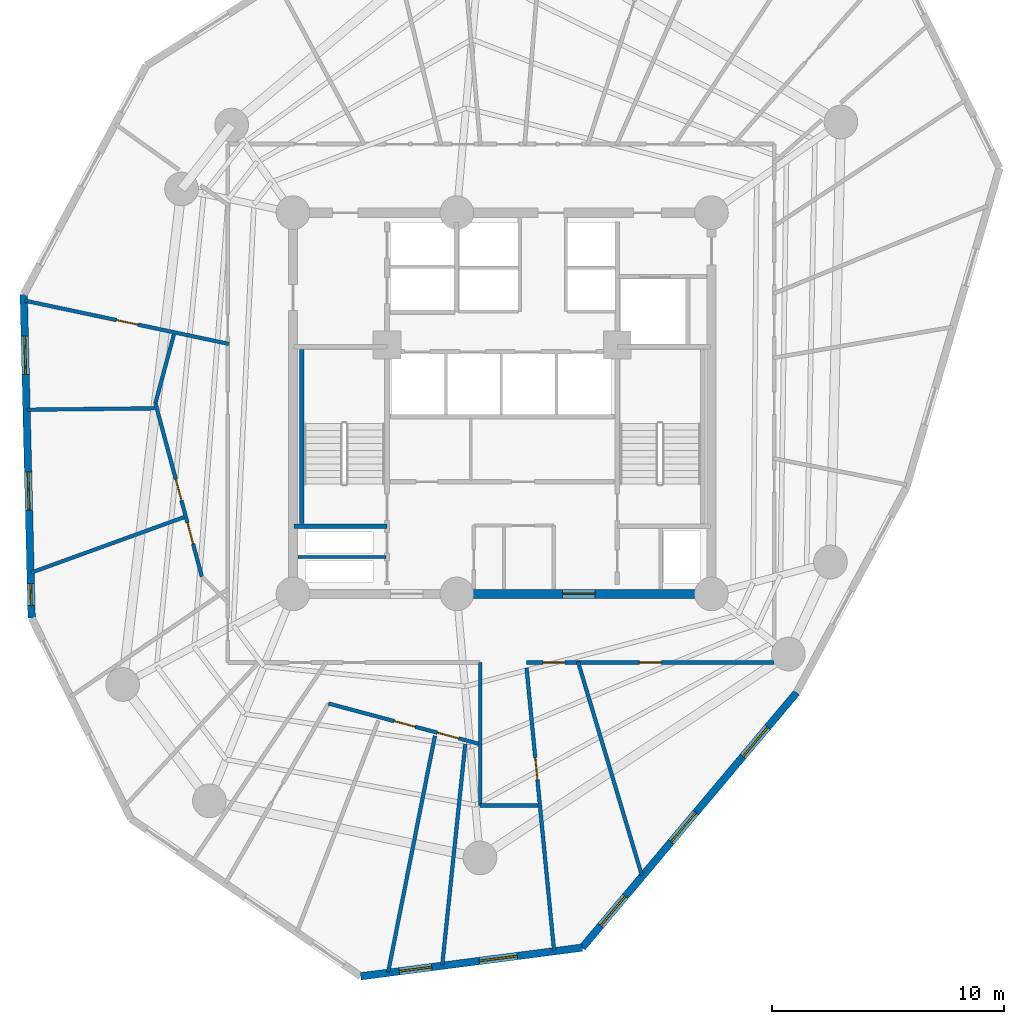
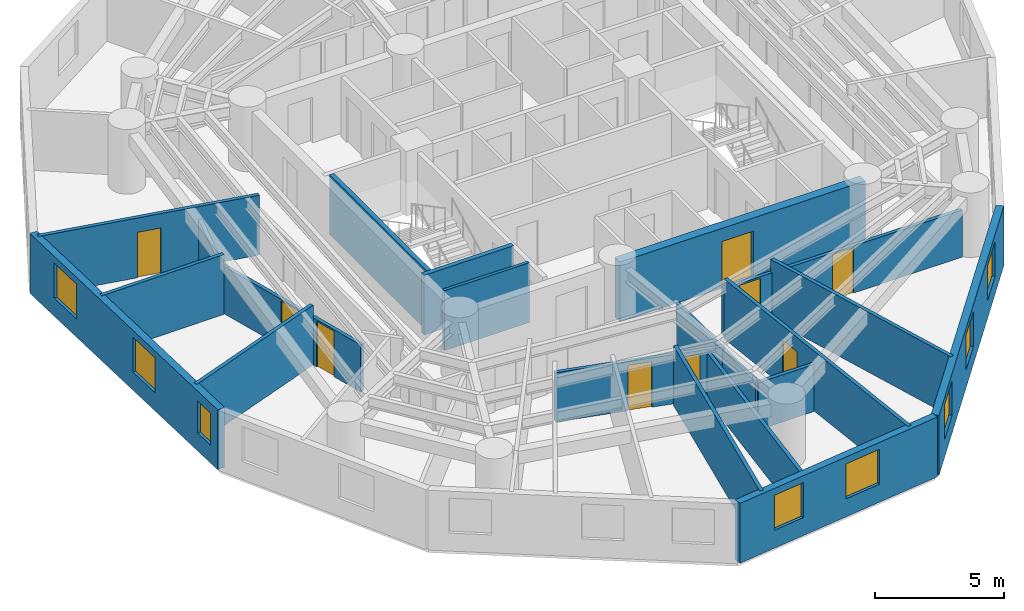
# One storey, part 3 of 8: 20 walls, 9 doors, 8 windows, 17 openings.
"""IFC4 building model written with IfcOpenShell, lengths in metres."""

import ifcopenshell
import ifcopenshell.guid

model = None  # the IFC model being written
_history = None  # IfcOwnerHistory: only IFC2X3 demands one
_inside = {}  # id of a spatial element -> (the spatial element, [elements in it])
_under = {}  # id of a project, library or spatial element -> (it, [spatial elements below it])
_declared = {}  # id of a project -> (the project, [libraries it declares])
_typed = {}  # id of a type object -> (the type object, [elements of that type])
_made_of = {}  # id of a material, layer set ... -> (it, [elements and type objects made of it])


def new_model(schema):
    """Start an empty IFC model of exactly this schema.

    Asked for "IFC4X3", IfcOpenShell would pick the latest addendum, in which some entities
    have other attributes; the version numbers below select the first issue.
    IFC2X3 requires an IfcOwnerHistory on every rooted entity: one is made here for all.
    """
    global model, _history
    if schema == "IFC4X3":
        model = ifcopenshell.file(schema_version=(4, 3, 0, 0))
    else:
        model = ifcopenshell.file(schema=schema)
    _inside.clear()
    _under.clear()
    _declared.clear()
    _typed.clear()
    _made_of.clear()
    _history = None
    if model.schema == "IFC2X3":
        org = make("IfcOrganization", Name="unknown")
        user = make(
            "IfcPersonAndOrganization",
            ThePerson=make("IfcPerson", FamilyName="unknown"),
            TheOrganization=org,
        )
        app = make(
            "IfcApplication",
            ApplicationDeveloper=org,
            Version="unknown",
            ApplicationFullName="unknown",
            ApplicationIdentifier="unknown",
        )
        _history = make(
            "IfcOwnerHistory",
            OwningUser=user,
            OwningApplication=app,
            ChangeAction="ADDED",
            CreationDate=0,
        )
    return model


def make(cls, **values):
    """One entity of the class cls with the attributes given. An attribute that is None is left unset."""
    return model.create_entity(
        cls, **{name: value for name, value in values.items() if value is not None}
    )


def rooted(cls, **values):
    """An entity with a GlobalId (a new one), such as an element, a storey or a relation."""
    return make(cls, GlobalId=ifcopenshell.guid.new(), OwnerHistory=_history, **values)


def si_unit(unit_type, name, prefix=None):
    """IfcSIUnit, for example si_unit("LENGTHUNIT", "METRE", prefix="MILLI")."""
    return make("IfcSIUnit", UnitType=unit_type, Prefix=prefix, Name=name)


def assignment(units):
    """IfcUnitAssignment: the units of a project."""
    return None if units is None else make("IfcUnitAssignment", Units=units)


def point(xyz):
    """IfcCartesianPoint."""
    return None if xyz is None else make("IfcCartesianPoint", Coordinates=xyz)


def direction(xyz):
    """IfcDirection."""
    return None if xyz is None else make("IfcDirection", DirectionRatios=xyz)


def frame(location, z_axis=None, x_axis=None):
    """IfcAxis2Placement3D, a coordinate frame: its origin and axes. An axis left out is left unset."""
    return make(
        "IfcAxis2Placement3D",
        Location=point(location),
        Axis=direction(z_axis),
        RefDirection=direction(x_axis),
    )


def frame_2d(location, x_axis=None):
    """IfcAxis2Placement2D, a coordinate frame in the plane: its origin and x axis."""
    return make(
        "IfcAxis2Placement2D", Location=point(location), RefDirection=direction(x_axis)
    )


def origin():
    """The frame at (0, 0, 0) with its axes left unset."""
    return frame((0.0, 0.0, 0.0))


def origin_with_axes():
    """The frame at (0, 0, 0) with the z axis (0, 0, 1) and the x axis (1, 0, 0) written out."""
    return frame((0.0, 0.0, 0.0), z_axis=(0.0, 0.0, 1.0), x_axis=(1.0, 0.0, 0.0))


def place(relative_to, where):
    """IfcLocalPlacement: puts the frame where relative to a parent placement (None: the world)."""
    return make(
        "IfcLocalPlacement", PlacementRelTo=relative_to, RelativePlacement=where
    )


def context(
    kind, dimensions, precision=None, world=None, true_north=None, identifier=None
):
    """IfcGeometricRepresentationContext, for example the 3D "Model" context."""
    return make(
        "IfcGeometricRepresentationContext",
        ContextIdentifier=identifier,
        ContextType=kind,
        CoordinateSpaceDimension=dimensions,
        Precision=precision,
        WorldCoordinateSystem=world,
        TrueNorth=true_north,
    )


def subcontext(parent, identifier, kind, view, scale=None):
    """IfcGeometricRepresentationSubContext, for example "Body" below "Model"."""
    return make(
        "IfcGeometricRepresentationSubContext",
        ContextIdentifier=identifier,
        ContextType=kind,
        ParentContext=parent,
        TargetScale=scale,
        TargetView=view,
    )


def project(units=None, contexts=None):
    """IfcProject with its units and contexts."""
    return rooted(
        "IfcProject",
        Name="project",
        RepresentationContexts=contexts,
        UnitsInContext=assignment(units),
    )


def spatial(cls, under=None, at=None, **own):
    """A site, building, storey or space (cls), placed at a placement, below another one or the project."""
    s = rooted(cls, ObjectPlacement=at, **own)
    if under is not None:
        _under.setdefault(under.id(), (under, []))[1].append(s)
    return s


def profile(cls, at=None, kind="AREA", **sizes):
    """A parametric profile (cls). Its sizes go by their IFC names, for example OverallWidth=200.0."""
    return make(cls, ProfileType=kind, Position=at, **sizes)


def rectangle(**sizes):
    """IfcRectangleProfileDef."""
    return profile("IfcRectangleProfileDef", **sizes)


def extrude(swept, where, along, depth):
    """IfcExtrudedAreaSolid: the profile swept, set in the frame where, extruded along a direction by depth."""
    return make(
        "IfcExtrudedAreaSolid",
        SweptArea=swept,
        Position=where,
        ExtrudedDirection=direction(along),
        Depth=depth,
    )


def shape(context_of_items, identifier, shape_type, items):
    """IfcShapeRepresentation: the items that make up one representation, for example the "Body"."""
    return make(
        "IfcShapeRepresentation",
        ContextOfItems=context_of_items,
        RepresentationIdentifier=identifier,
        RepresentationType=shape_type,
        Items=items,
    )


def source(mapping_origin, context_of_items, identifier, shape_type, items):
    """IfcRepresentationMap: a shape defined once, which mapped items show again and again."""
    return make(
        "IfcRepresentationMap",
        MappingOrigin=mapping_origin,
        MappedRepresentation=shape(context_of_items, identifier, shape_type, items),
    )


def transform(
    local_origin,
    x_axis=None,
    y_axis=None,
    z_axis=None,
    scale=None,
    scale2=None,
    scale3=None,
    uniform=True,
):
    """IfcCartesianTransformationOperator3D, or its non-uniform kind. x_axis, y_axis, z_axis: its Axis1, 2, 3."""
    if uniform:
        return make(
            "IfcCartesianTransformationOperator3D",
            Axis1=direction(x_axis),
            Axis2=direction(y_axis),
            LocalOrigin=point(local_origin),
            Scale=scale,
            Axis3=direction(z_axis),
        )
    return make(
        "IfcCartesianTransformationOperator3DnonUniform",
        Axis1=direction(x_axis),
        Axis2=direction(y_axis),
        LocalOrigin=point(local_origin),
        Scale=scale,
        Axis3=direction(z_axis),
        Scale2=scale2,
        Scale3=scale3,
    )


def mapped(mapping_source, mapping_target):
    """IfcMappedItem: shows the shape of a source again, moved by a transform."""
    return make(
        "IfcMappedItem", MappingSource=mapping_source, MappingTarget=mapping_target
    )


def material(Name=None, Category=None):
    """IfcMaterial."""
    return make("IfcMaterial", Name=Name, Category=Category)


def layer(
    of_material, thickness, ventilated=None, Name=None, Category=None, Priority=None
):
    """IfcMaterialLayer: one layer of a wall or slab, of a material (None: an air gap)."""
    return make(
        "IfcMaterialLayer",
        Material=of_material,
        LayerThickness=thickness,
        IsVentilated=ventilated,
        Name=Name,
        Category=Category,
        Priority=Priority,
    )


def layer_set(layers, Name=None):
    """IfcMaterialLayerSet."""
    return make("IfcMaterialLayerSet", MaterialLayers=layers, LayerSetName=Name)


def made_of(thing, what):
    """Note that an element or type object is made of a material, layer set ...; save() writes the relation."""
    if what is not None:
        _made_of.setdefault(what.id(), (what, []))[1].append(thing)
    return thing


def type_object(cls, material=None, **own):
    """A type object (cls), such as IfcWallType, which elements share."""
    return made_of(rooted(cls, **own), material)


def element(
    cls,
    number,
    at=None,
    inside=None,
    cuts=None,
    type_object=None,
    material=None,
    context=None,
    identifier="Body",
    shape_type=None,
    held_by="IfcProductDefinitionShape",
    body=None,
    shapes=None,
    **own,
):
    """One element of the class cls, such as IfcWall. Its Tag is "e" and its number.

    at: its placement. inside: the storey or other place that contains it. cuts: it is an
    opening in that element (IfcRelVoidsElement). A single representation is given by context,
    identifier, shape_type and body (its items); several are given by shapes. held_by: the class
    of the entity that holds the representations. save() writes the other relations.
    """
    e = rooted(cls, Tag="e%d" % number, ObjectPlacement=at, **own)
    if body is not None:
        shapes = [shape(context, identifier, shape_type, body)]
    if shapes is not None:
        e.Representation = make(held_by, Representations=shapes)
    if inside is not None:
        _inside.setdefault(inside.id(), (inside, []))[1].append(e)
    if cuts is not None:
        rooted(
            "IfcRelVoidsElement", RelatingBuildingElement=cuts, RelatedOpeningElement=e
        )
    if type_object is not None:
        _typed.setdefault(type_object.id(), (type_object, []))[1].append(e)
    return made_of(e, material)


def fill(opening, filler):
    """IfcRelFillsElement: the door or window that sits in an opening."""
    return rooted(
        "IfcRelFillsElement",
        RelatingOpeningElement=opening,
        RelatedBuildingElement=filler,
    )


def aggregate(whole, parts):
    """IfcRelAggregates: a whole, such as a stair, and the parts it consists of."""
    return rooted("IfcRelAggregates", RelatingObject=whole, RelatedObjects=parts)


def save(model, path):
    """Write the relations noted so far, then the file.

    IfcRelAggregates (storeys below a building ...), IfcRelContainedInSpatialStructure (elements
    in a storey), IfcRelDefinesByType, IfcRelAssociatesMaterial and IfcRelDeclares: one each for
    every whole, place, type object, material and project.
    """
    for whole, parts in _under.values():
        aggregate(whole, parts)
    for where, things in _inside.values():
        rooted(
            "IfcRelContainedInSpatialStructure",
            RelatedElements=things,
            RelatingStructure=where,
        )
    for kind, things in _typed.values():
        rooted("IfcRelDefinesByType", RelatedObjects=things, RelatingType=kind)
    for what, things in _made_of.values():
        rooted("IfcRelAssociatesMaterial", RelatedObjects=things, RelatingMaterial=what)
    for by, libraries in _declared.values():
        rooted("IfcRelDeclares", RelatingContext=by, RelatedDefinitions=libraries)
    model.write(path)


model = new_model("IFC4")

# Units and contexts
model_context = context("Model", 3, precision=1e-05, world=origin(), true_north=direction((0.0, 1.0)))
body_context = subcontext(model_context, "Body", "Model", "MODEL_VIEW")
ifc_project = project(units=[si_unit("LENGTHUNIT", "METRE"), si_unit("AREAUNIT", "SQUARE_METRE"), si_unit("VOLUMEUNIT", "CUBIC_METRE"), si_unit("PLANEANGLEUNIT", "RADIAN"), si_unit("MASSUNIT", "GRAM", prefix="KILO")], contexts=[model_context])

# Site, building, storey
site_placement = place(None, origin())
site = spatial("IfcSite", under=ifc_project, at=site_placement, CompositionType="ELEMENT")
building_placement = place(site_placement, origin())
building = spatial("IfcBuilding", under=site, at=building_placement, Name="Karkom Vertical University and Central Library", CompositionType="ELEMENT")
storey_placement = place(building_placement, frame((0.0, 0.0, 117.550048828125)))
storey = spatial("IfcBuildingStorey", under=building, at=storey_placement, Name="L32", CompositionType="ELEMENT", Elevation=117.550048828125)

# Wall, openings, windows
ifc_material_1 = material(Name="Brick-faced precast concrete C45/55", Category="masonry")
ifc_layer_1 = layer(ifc_material_1, 0.320068359375)
ifc_layer_set_1 = layer_set([ifc_layer_1], Name="Brick-faced precast concrete C45/55")
wall_type_1 = type_object("IfcWallType", Name="ENV-WL-BRK-320", PredefinedType="SOLIDWALL", material=ifc_layer_set_1)
wall_1_placement = place(storey_placement, frame((7.91748046875, 31.1845703125, 0.0), z_axis=(0.0, 0.0, 1.0), x_axis=(0.024498324563, -0.999699871008, 0.0)))
wall_1 = element("IfcWall", 1, at=wall_1_placement, inside=storey, type_object=wall_type_1, Name="Level 32 Brick-Faced Precast Facade Wall 02", PredefinedType="SOLIDWALL", context=body_context, shape_type="SweptSolid", body=[
    extrude(rectangle(XDim=13.931884765625, YDim=0.320068359375, at=frame_2d((6.9658203125, 0.0))), origin(), (0.0, 0.0, 1.0), 2.824951171875),
])
opening_1_placement = place(wall_1_placement, frame((1.794677734375, 0.0, 0.85009765625)))
opening_1 = element("IfcOpeningElement", 2, at=opening_1_placement, cuts=wall_1, Name="Opening WN-06", PredefinedType="OPENING", context=body_context, shape_type="SweptSolid", body=[
    extrude(rectangle(XDim=1.64990234375, YDim=1.64990234375, at=frame_2d((0.824951171875, 0.824951171875))), frame((0.0, 0.169921875, 0.0), z_axis=(0.0, -1.0, 0.0), x_axis=(1.0, 0.0, 0.0)), (0.0, 0.0, 1.0), 0.340087890625),
])
opening_2_placement = place(wall_1_placement, frame((7.637451171875, 0.0, 0.85009765625)))
opening_2 = element("IfcOpeningElement", 3, at=opening_2_placement, cuts=wall_1, Name="Opening WN-06", PredefinedType="OPENING", context=body_context, shape_type="SweptSolid", body=[
    extrude(rectangle(XDim=1.64990234375, YDim=1.64990234375, at=frame_2d((0.824951171875, 0.824951171875))), frame((0.0, 0.169921875, 0.0), z_axis=(0.0, -1.0, 0.0), x_axis=(1.0, 0.0, 0.0)), (0.0, 0.0, 1.0), 0.340087890625),
])
opening_3_placement = place(wall_1_placement, frame((12.441650390625, 0.0, 0.85009765625)))
opening_3 = element("IfcOpeningElement", 4, at=opening_3_placement, cuts=wall_1, Name="Opening WN-12", PredefinedType="OPENING", context=body_context, shape_type="SweptSolid", body=[
    extrude(rectangle(XDim=0.949951171875, YDim=1.5, at=frame_2d((0.47509765625, 0.75))), frame((0.0, 0.169921875, 0.0), z_axis=(0.0, -1.0, 0.0), x_axis=(1.0, 0.0, 0.0)), (0.0, 0.0, 1.0), 0.340087890625),
])
ifc_material_2 = material(Name="Aluminium thermal-break frame with solar-control IGU", Category="aluminium")
window_type_1 = type_object("IfcWindowType", Name="ENV-WIN-WN-06", PartitioningType="SINGLE_PANEL", PredefinedType="WINDOW", material=ifc_material_2)
shared_shape_1 = source(origin_with_axes(), body_context, "Body", "SweptSolid", [
    extrude(rectangle(XDim=1.64990234375, YDim=1.64990234375, at=frame_2d((0.824951171875, 0.824951171875))), frame((0.0, 0.030029296875, 0.0), z_axis=(0.0, -1.0, 0.0), x_axis=(1.0, 0.0, 0.0)), (0.0, 0.0, 1.0), 0.06005859375),
])
window_1_placement = place(opening_1_placement, origin())
window_1 = element("IfcWindow", 5, at=window_1_placement, inside=storey, type_object=window_type_1, Name="Level 32 Punched Window 2.1", OverallHeight=1.64990234375, OverallWidth=1.64990234375, PartitioningType="SINGLE_PANEL", PredefinedType="WINDOW", context=body_context, shape_type="MappedRepresentation", body=[
    mapped(shared_shape_1, transform((0.0, 0.0, 0.0), scale=1.0)),
])
fill(opening_1, window_1)
window_2_placement = place(opening_2_placement, origin())
window_2 = element("IfcWindow", 6, at=window_2_placement, inside=storey, type_object=window_type_1, Name="Level 32 Punched Window 2.2", OverallHeight=1.64990234375, OverallWidth=1.64990234375, PartitioningType="SINGLE_PANEL", PredefinedType="WINDOW", context=body_context, shape_type="MappedRepresentation", body=[
    mapped(shared_shape_1, transform((0.0, 0.0, 0.0), scale=1.0)),
])
fill(opening_2, window_2)
window_type_2 = type_object("IfcWindowType", Name="ENV-WIN-WN-12", PartitioningType="SINGLE_PANEL", PredefinedType="WINDOW", material=ifc_material_2)
shared_shape_2 = source(origin_with_axes(), body_context, "Body", "SweptSolid", [
    extrude(rectangle(XDim=0.949951171875, YDim=1.5, at=frame_2d((0.47509765625, 0.75))), frame((0.0, 0.030029296875, 0.0), z_axis=(0.0, -1.0, 0.0), x_axis=(1.0, 0.0, 0.0)), (0.0, 0.0, 1.0), 0.06005859375),
])
window_3_placement = place(opening_3_placement, origin())
window_3 = element("IfcWindow", 7, at=window_3_placement, inside=storey, type_object=window_type_2, Name="Level 32 Punched Window 2.3", OverallHeight=1.5, OverallWidth=0.949951171875, PartitioningType="SINGLE_PANEL", PredefinedType="WINDOW", context=body_context, shape_type="MappedRepresentation", body=[
    mapped(shared_shape_2, transform((0.0, 0.0, 0.0), scale=1.0)),
])
fill(opening_3, window_3)

wall_2_placement = place(storey_placement, frame((22.416748046875, 1.85009765625, 0.0), z_axis=(0.0, 0.0, 1.0), x_axis=(0.991723253877, 0.128393877264, 0.0)))
wall_2 = element("IfcWall", 8, at=wall_2_placement, inside=storey, type_object=wall_type_1, Name="Level 32 Brick-Faced Precast Facade Wall 05", PredefinedType="SOLIDWALL", context=body_context, shape_type="SweptSolid", body=[
    extrude(rectangle(XDim=9.6064453125, YDim=0.320068359375, at=frame_2d((4.80322265625, 0.0))), origin(), (0.0, 0.0, 1.0), 2.824951171875),
])
opening_4_placement = place(wall_2_placement, frame((1.673583984375, 0.0, 0.85009765625)))
opening_4 = element("IfcOpeningElement", 9, at=opening_4_placement, cuts=wall_2, Name="Opening WN-07", PredefinedType="OPENING", context=body_context, shape_type="SweptSolid", body=[
    extrude(rectangle(XDim=1.39990234375, YDim=1.64990234375, at=frame_2d((0.699951171875, 0.824951171875))), frame((0.0, 0.169921875, 0.0), z_axis=(0.0, -1.0, 0.0), x_axis=(1.0, 0.0, 0.0)), (0.0, 0.0, 1.0), 0.340087890625),
])
opening_5_placement = place(wall_2_placement, frame((5.141357421875, 0.0, 0.85009765625)))
opening_5 = element("IfcOpeningElement", 10, at=opening_5_placement, cuts=wall_2, Name="Opening WN-06", PredefinedType="OPENING", context=body_context, shape_type="SweptSolid", body=[
    extrude(rectangle(XDim=1.64990234375, YDim=1.64990234375, at=frame_2d((0.824951171875, 0.824951171875))), frame((0.0, 0.169921875, 0.0), z_axis=(0.0, -1.0, 0.0), x_axis=(1.0, 0.0, 0.0)), (0.0, 0.0, 1.0), 0.340087890625),
])
window_4_placement = place(opening_5_placement, origin())
window_4 = element("IfcWindow", 11, at=window_4_placement, inside=storey, type_object=window_type_1, Name="Level 32 Punched Window 5.2", OverallHeight=1.64990234375, OverallWidth=1.64990234375, PartitioningType="SINGLE_PANEL", PredefinedType="WINDOW", context=body_context, shape_type="MappedRepresentation", body=[
    mapped(shared_shape_1, transform((0.0, 0.0, 0.0), scale=1.0)),
])
fill(opening_5, window_4)
window_type_3 = type_object("IfcWindowType", Name="ENV-WIN-WN-07", PartitioningType="SINGLE_PANEL", PredefinedType="WINDOW", material=ifc_material_2)
shared_shape_3 = source(origin_with_axes(), body_context, "Body", "SweptSolid", [
    extrude(rectangle(XDim=1.39990234375, YDim=1.64990234375, at=frame_2d((0.699951171875, 0.824951171875))), frame((0.0, 0.030029296875, 0.0), z_axis=(0.0, -1.0, 0.0), x_axis=(1.0, 0.0, 0.0)), (0.0, 0.0, 1.0), 0.06005859375),
])
window_5_placement = place(opening_4_placement, origin())
window_5 = element("IfcWindow", 12, at=window_5_placement, inside=storey, type_object=window_type_3, Name="Level 32 Punched Window 5.1", OverallHeight=1.64990234375, OverallWidth=1.39990234375, PartitioningType="SINGLE_PANEL", PredefinedType="WINDOW", context=body_context, shape_type="MappedRepresentation", body=[
    mapped(shared_shape_3, transform((0.0, 0.0, 0.0), scale=1.0)),
])
fill(opening_4, window_5)

wall_3_placement = place(storey_placement, frame((31.943603515625, 3.08349609375, 0.0), z_axis=(0.0, 0.0, 1.0), x_axis=(0.643621916948, 0.765343601283, 0.0)))
wall_3 = element("IfcWall", 13, at=wall_3_placement, inside=storey, type_object=wall_type_1, Name="Level 32 Brick-Faced Precast Facade Wall 06", PredefinedType="SOLIDWALL", context=body_context, shape_type="SweptSolid", body=[
    extrude(rectangle(XDim=14.343017578125, YDim=0.320068359375, at=frame_2d((7.17138671875, 0.0))), origin(), (0.0, 0.0, 1.0), 2.824951171875),
])
opening_6_placement = place(wall_3_placement, frame((1.22900390625, 0.0, 0.85009765625)))
opening_6 = element("IfcOpeningElement", 14, at=opening_6_placement, cuts=wall_3, Name="Opening WN-06", PredefinedType="OPENING", context=body_context, shape_type="SweptSolid", body=[
    extrude(rectangle(XDim=1.64990234375, YDim=1.64990234375, at=frame_2d((0.824951171875, 0.824951171875))), frame((0.0, 0.169921875, 0.0), z_axis=(0.0, -1.0, 0.0), x_axis=(1.0, 0.0, 0.0)), (0.0, 0.0, 1.0), 0.340087890625),
])
opening_7_placement = place(wall_3_placement, frame((5.94189453125, 0.0, 0.85009765625)))
opening_7 = element("IfcOpeningElement", 15, at=opening_7_placement, cuts=wall_3, Name="Opening WN-06", PredefinedType="OPENING", context=body_context, shape_type="SweptSolid", body=[
    extrude(rectangle(XDim=1.64990234375, YDim=1.64990234375, at=frame_2d((0.824951171875, 0.824951171875))), frame((0.0, 0.169921875, 0.0), z_axis=(0.0, -1.0, 0.0), x_axis=(1.0, 0.0, 0.0)), (0.0, 0.0, 1.0), 0.340087890625),
])
opening_8_placement = place(wall_3_placement, frame((10.7392578125, 0.0, 0.85009765625)))
opening_8 = element("IfcOpeningElement", 16, at=opening_8_placement, cuts=wall_3, Name="Opening WN-06", PredefinedType="OPENING", context=body_context, shape_type="SweptSolid", body=[
    extrude(rectangle(XDim=1.64990234375, YDim=1.64990234375, at=frame_2d((0.824951171875, 0.824951171875))), frame((0.0, 0.169921875, 0.0), z_axis=(0.0, -1.0, 0.0), x_axis=(1.0, 0.0, 0.0)), (0.0, 0.0, 1.0), 0.340087890625),
])
window_6_placement = place(opening_6_placement, origin())
window_6 = element("IfcWindow", 17, at=window_6_placement, inside=storey, type_object=window_type_1, Name="Level 32 Punched Window 6.1", OverallHeight=1.64990234375, OverallWidth=1.64990234375, PartitioningType="SINGLE_PANEL", PredefinedType="WINDOW", context=body_context, shape_type="MappedRepresentation", body=[
    mapped(shared_shape_1, transform((0.0, 0.0, 0.0), scale=1.0)),
])
fill(opening_6, window_6)
window_7_placement = place(opening_7_placement, origin())
window_7 = element("IfcWindow", 18, at=window_7_placement, inside=storey, type_object=window_type_1, Name="Level 32 Punched Window 6.2", OverallHeight=1.64990234375, OverallWidth=1.64990234375, PartitioningType="SINGLE_PANEL", PredefinedType="WINDOW", context=body_context, shape_type="MappedRepresentation", body=[
    mapped(shared_shape_1, transform((0.0, 0.0, 0.0), scale=1.0)),
])
fill(opening_7, window_7)
window_8_placement = place(opening_8_placement, origin())
window_8 = element("IfcWindow", 19, at=window_8_placement, inside=storey, type_object=window_type_1, Name="Level 32 Punched Window 6.3", OverallHeight=1.64990234375, OverallWidth=1.64990234375, PartitioningType="SINGLE_PANEL", PredefinedType="WINDOW", context=body_context, shape_type="MappedRepresentation", body=[
    mapped(shared_shape_1, transform((0.0, 0.0, 0.0), scale=1.0)),
])
fill(opening_8, window_8)

# Wall, opening, door
ifc_material_3 = material(Name="Insulated metal-stud drywall 160mm", Category="gypsum")
ifc_layer_2 = layer(ifc_material_3, 0.159912109375)
ifc_layer_set_2 = layer_set([ifc_layer_2], Name="Insulated metal-stud drywall 160mm")
wall_type_2 = type_object("IfcWallType", Name="INT-WL-COR-160", PredefinedType="PARTITIONING", material=ifc_layer_set_2)
wall_4_placement = place(storey_placement, frame((29.547119140625, 15.11962890625, 0.0), z_axis=(0.0, 0.0, 1.0), x_axis=(0.096855822721, -0.995298422387, 0.0)))
wall_4 = element("IfcWall", 20, at=wall_4_placement, inside=storey, type_object=wall_type_2, Name="Level 32 Interior Partition Wall L32-PW-019", PredefinedType="PARTITIONING", context=body_context, shape_type="SweptSolid", body=[
    extrude(rectangle(XDim=12.22509765625, YDim=0.159912109375, at=frame_2d((6.112548828125, 0.0))), origin(), (0.0, 0.0, 1.0), 2.824951171875),
])
opening_9_placement = place(wall_4_placement, frame((3.88671875, 0.0, 0.0)))
opening_9 = element("IfcOpeningElement", 21, at=opening_9_placement, cuts=wall_4, Name="Opening D-RM1", PredefinedType="OPENING", context=body_context, shape_type="SweptSolid", body=[
    extrude(rectangle(XDim=0.949951171875, YDim=2.14990234375, at=frame_2d((0.47509765625, 1.074951171875))), frame((0.0, 0.08984375, 0.0), z_axis=(0.0, -1.0, 0.0), x_axis=(1.0, 0.0, 0.0)), (0.0, 0.0, 1.0), 0.179931640625),
])
ifc_material_4 = material(Name="Solid-core oak veneer door", Category="wood")
door_type_1 = type_object("IfcDoorType", Name="INT-DR-RM1", OperationType="NOTDEFINED", PredefinedType="DOOR", material=ifc_material_4)
shared_shape_4 = source(origin_with_axes(), body_context, "Body", "SweptSolid", [
    extrude(rectangle(XDim=0.949951171875, YDim=2.14990234375, at=frame_2d((0.47509765625, 1.074951171875))), frame((0.0, 0.02490234375, 0.0), z_axis=(0.0, -1.0, 0.0), x_axis=(1.0, 0.0, 0.0)), (0.0, 0.0, 1.0), 0.050048828125),
])
door_1_placement = place(opening_9_placement, origin())
door_1 = element("IfcDoor", 22, at=door_1_placement, inside=storey, type_object=door_type_1, Name="Level 32 Room Entry Door 090", OperationType="SINGLE_SWING_LEFT", OverallHeight=2.14990234375, OverallWidth=0.949951171875, PredefinedType="DOOR", context=body_context, shape_type="MappedRepresentation", body=[
    mapped(shared_shape_4, transform((0.0, 0.0, 0.0), scale=1.0)),
])
fill(opening_9, door_1)

# Wall, openings, doors
wall_5_placement = place(storey_placement, frame((40.199951171875, 15.35009765625, 0.0), z_axis=(0.0, 0.0, 1.0), x_axis=(-1.0, 0.0, 0.0)))
wall_5 = element("IfcWall", 23, at=wall_5_placement, inside=storey, type_object=wall_type_2, Name="Level 32 Interior Partition Wall L32-CORW-CW-005", PredefinedType="PARTITIONING", context=body_context, shape_type="SweptSolid", body=[
    extrude(rectangle(XDim=10.64990234375, YDim=0.159912109375, at=frame_2d((5.324951171875, 0.0))), origin(), (0.0, 0.0, 1.0), 2.224853515625),
])
opening_10_placement = place(wall_5_placement, frame((9.001220703125, 0.0, 0.0)))
opening_10 = element("IfcOpeningElement", 24, at=opening_10_placement, cuts=wall_5, Name="Opening D-RM1", PredefinedType="OPENING", context=body_context, shape_type="SweptSolid", body=[
    extrude(rectangle(XDim=0.949951171875, YDim=2.14990234375, at=frame_2d((0.47509765625, 1.074951171875))), frame((0.0, 0.08984375, 0.0), z_axis=(0.0, -1.0, 0.0), x_axis=(1.0, 0.0, 0.0)), (0.0, 0.0, 1.0), 0.179931640625),
])
opening_11_placement = place(wall_5_placement, frame((4.85009765625, 0.0, 0.0)))
opening_11 = element("IfcOpeningElement", 25, at=opening_11_placement, cuts=wall_5, Name="Opening D-RM1", PredefinedType="OPENING", context=body_context, shape_type="SweptSolid", body=[
    extrude(rectangle(XDim=0.949951171875, YDim=2.14990234375, at=frame_2d((0.47509765625, 1.074951171875))), frame((0.0, 0.08984375, 0.0), z_axis=(0.0, -1.0, 0.0), x_axis=(1.0, 0.0, 0.0)), (0.0, 0.0, 1.0), 0.179931640625),
])
door_2_placement = place(opening_10_placement, origin())
door_2 = element("IfcDoor", 26, at=door_2_placement, inside=storey, type_object=door_type_1, Name="Level 32 Room Entry Door 100", OperationType="SINGLE_SWING_RIGHT", OverallHeight=2.14990234375, OverallWidth=0.949951171875, PredefinedType="DOOR", context=body_context, shape_type="MappedRepresentation", body=[
    mapped(shared_shape_4, transform((0.0, 0.0, 0.0), scale=1.0)),
])
fill(opening_10, door_2)
door_3_placement = place(opening_11_placement, origin())
door_3 = element("IfcDoor", 27, at=door_3_placement, inside=storey, type_object=door_type_1, Name="Level 32 Room Entry Door 110", OperationType="SINGLE_SWING_LEFT", OverallHeight=2.14990234375, OverallWidth=0.949951171875, PredefinedType="DOOR", context=body_context, shape_type="MappedRepresentation", body=[
    mapped(shared_shape_4, transform((0.0, 0.0, 0.0), scale=1.0)),
])
fill(opening_11, door_3)

# Walls
wall_6_placement = place(storey_placement, frame((25.6064453125, 12.192626953125, 0.0), z_axis=(0.0, 0.0, 1.0), x_axis=(-0.194207590837, -0.980960453668, 0.0)))
element("IfcWall", 28, at=wall_6_placement, inside=storey, type_object=wall_type_2, Name="Level 32 Interior Partition Wall L32-PW-016", PredefinedType="PARTITIONING", context=body_context, shape_type="SweptSolid", body=[
    extrude(rectangle(XDim=10.358642578125, YDim=0.159912109375, at=frame_2d((5.17919921875, 0.0))), origin(), (0.0, 0.0, 1.0), 2.824951171875),
])
wall_7_placement = place(storey_placement, frame((31.76220703125, 15.378662109375, 0.0), z_axis=(0.0, 0.0, 1.0), x_axis=(0.286457964324, -0.958092811097, 0.0)))
element("IfcWall", 29, at=wall_7_placement, inside=storey, type_object=wall_type_2, Name="Level 32 Interior Partition Wall L32-PW-020", PredefinedType="PARTITIONING", context=body_context, shape_type="SweptSolid", body=[
    extrude(rectangle(XDim=9.590576171875, YDim=0.159912109375, at=frame_2d((4.79541015625, 0.0))), origin(), (0.0, 0.0, 1.0), 2.824951171875),
])
wall_8_placement = place(storey_placement, frame((26.911865234375, 11.8427734375, 0.0), z_axis=(0.0, 0.0, 1.0), x_axis=(-0.103642912632, -0.994614571913, 0.0)))
element("IfcWall", 30, at=wall_8_placement, inside=storey, type_object=wall_type_2, Name="Level 32 Interior Partition Wall L32-PW-017", PredefinedType="PARTITIONING", context=body_context, shape_type="SweptSolid", body=[
    extrude(rectangle(XDim=9.563720703125, YDim=0.159912109375, at=frame_2d((4.78173828125, 0.0))), origin(), (0.0, 0.0, 1.0), 2.224853515625),
])

# Wall, opening, door
wall_9_placement = place(storey_placement, frame((16.743896484375, 29.053466796875, 0.0), z_axis=(0.0, 0.0, 1.0), x_axis=(-0.978261516353, 0.20737503616, 0.0)))
wall_9 = element("IfcWall", 31, at=wall_9_placement, inside=storey, type_object=wall_type_2, Name="Level 32 Interior Partition Wall L32-PW-037", PredefinedType="PARTITIONING", context=body_context, shape_type="SweptSolid", body=[
    extrude(rectangle(XDim=8.988525390625, YDim=0.159912109375, at=frame_2d((4.494140625, 0.0))), origin(), (0.0, 0.0, 1.0), 2.824951171875),
])
opening_12_placement = place(wall_9_placement, frame((3.994384765625, 0.0, 0.0)))
opening_12 = element("IfcOpeningElement", 32, at=opening_12_placement, cuts=wall_9, Name="Opening D-RM1", PredefinedType="OPENING", context=body_context, shape_type="SweptSolid", body=[
    extrude(rectangle(XDim=0.949951171875, YDim=2.14990234375, at=frame_2d((0.47509765625, 1.074951171875))), frame((0.0, 0.08984375, 0.0), z_axis=(0.0, -1.0, 0.0), x_axis=(1.0, 0.0, 0.0)), (0.0, 0.0, 1.0), 0.179931640625),
])
door_4_placement = place(opening_12_placement, origin())
door_4 = element("IfcDoor", 33, at=door_4_placement, inside=storey, type_object=door_type_1, Name="Level 32 Room Entry Door 270", OperationType="SINGLE_SWING_RIGHT", OverallHeight=2.14990234375, OverallWidth=0.949951171875, PredefinedType="DOOR", context=body_context, shape_type="MappedRepresentation", body=[
    mapped(shared_shape_4, transform((0.0, 0.0, 0.0), scale=1.0)),
])
fill(opening_12, door_4)

# Wall, openings, doors
wall_10_placement = place(storey_placement, frame((15.581298828125, 19.04150390625, 0.0), z_axis=(0.0, 0.0, 1.0), x_axis=(-0.258823534126, 0.965924623448, 0.0)))
wall_10 = element("IfcWall", 34, at=wall_10_placement, inside=storey, type_object=wall_type_2, Name="Level 32 Interior Partition Wall L32-PW-001", PredefinedType="PARTITIONING", context=body_context, shape_type="SweptSolid", body=[
    extrude(rectangle(XDim=7.7216796875, YDim=0.159912109375, at=frame_2d((3.86083984375, 0.0))), origin(), (0.0, 0.0, 1.0), 2.224853515625),
])
opening_13_placement = place(wall_10_placement, frame((3.3857421875, 0.0, 0.0)))
opening_13 = element("IfcOpeningElement", 35, at=opening_13_placement, cuts=wall_10, Name="Opening FD-RM2", PredefinedType="OPENING", context=body_context, shape_type="SweptSolid", body=[
    extrude(rectangle(XDim=0.9599609375, YDim=2.14990234375, at=frame_2d((0.47998046875, 1.074951171875))), frame((0.0, 0.08984375, 0.0), z_axis=(0.0, -1.0, 0.0), x_axis=(1.0, 0.0, 0.0)), (0.0, 0.0, 1.0), 0.179931640625),
])
opening_14_placement = place(wall_10_placement, frame((1.455322265625, 0.0, 0.0)))
opening_14 = element("IfcOpeningElement", 36, at=opening_14_placement, cuts=wall_10, Name="Opening D-RM1", PredefinedType="OPENING", context=body_context, shape_type="SweptSolid", body=[
    extrude(rectangle(XDim=0.949951171875, YDim=2.14990234375, at=frame_2d((0.47509765625, 1.074951171875))), frame((0.0, 0.08984375, 0.0), z_axis=(0.0, -1.0, 0.0), x_axis=(1.0, 0.0, 0.0)), (0.0, 0.0, 1.0), 0.179931640625),
])
ifc_material_5 = material(Name="Fire-rated oak veneer door", Category="wood")
door_type_2 = type_object("IfcDoorType", Name="INT-DR-FRM2", OperationType="NOTDEFINED", PredefinedType="DOOR", material=ifc_material_5)
shared_shape_5 = source(origin_with_axes(), body_context, "Body", "SweptSolid", [
    extrude(rectangle(XDim=0.9599609375, YDim=2.14990234375, at=frame_2d((0.47998046875, 1.074951171875))), frame((0.0, 0.02490234375, 0.0), z_axis=(0.0, -1.0, 0.0), x_axis=(1.0, 0.0, 0.0)), (0.0, 0.0, 1.0), 0.050048828125),
])
door_5_placement = place(opening_13_placement, origin())
door_5 = element("IfcDoor", 37, at=door_5_placement, inside=storey, type_object=door_type_2, Name="Level 32 Room Entry Door 010", OperationType="SINGLE_SWING_LEFT", OverallHeight=2.14990234375, OverallWidth=0.9599609375, PredefinedType="DOOR", context=body_context, shape_type="MappedRepresentation", body=[
    mapped(shared_shape_5, transform((0.0, 0.0, 0.0), scale=1.0)),
])
fill(opening_13, door_5)
door_6_placement = place(opening_14_placement, origin())
door_6 = element("IfcDoor", 38, at=door_6_placement, inside=storey, type_object=door_type_1, Name="Level 32 Room Entry Door 020", OperationType="SINGLE_SWING_RIGHT", OverallHeight=2.14990234375, OverallWidth=0.949951171875, PredefinedType="DOOR", context=body_context, shape_type="MappedRepresentation", body=[
    mapped(shared_shape_4, transform((0.0, 0.0, 0.0), scale=1.0)),
])
fill(opening_14, door_6)

# Wall
wall_11_placement = place(storey_placement, frame((14.806396484375, 21.597900390625, 0.0), z_axis=(0.0, 0.0, 1.0), x_axis=(-0.940102191291, -0.340892754295, 0.0)))
element("IfcWall", 39, at=wall_11_placement, inside=storey, type_object=wall_type_2, Name="Level 32 Interior Partition Wall L32-PW-005", PredefinedType="PARTITIONING", context=body_context, shape_type="SweptSolid", body=[
    extrude(rectangle(XDim=6.986328125, YDim=0.159912109375, at=frame_2d((3.4931640625, 0.0))), origin(), (0.0, 0.0, 1.0), 2.824951171875),
])

# Wall, openings, doors
wall_12_placement = place(storey_placement, frame((27.5791015625, 11.82958984375, 0.0), z_axis=(0.0, 0.0, 1.0), x_axis=(-0.96592234089, 0.258832052437, 0.0)))
wall_12 = element("IfcWall", 40, at=wall_12_placement, inside=storey, type_object=wall_type_2, Name="Level 32 Interior Partition Wall L32-PW-013", PredefinedType="PARTITIONING", context=body_context, shape_type="SweptSolid", body=[
    extrude(rectangle(XDim=6.781982421875, YDim=0.159912109375, at=frame_2d((3.39111328125, 0.0))), origin(), (0.0, 0.0, 1.0), 2.324951171875),
])
opening_15_placement = place(wall_12_placement, frame((2.916015625, 0.0, 0.0)))
opening_15 = element("IfcOpeningElement", 41, at=opening_15_placement, cuts=wall_12, Name="Opening D-RM1", PredefinedType="OPENING", context=body_context, shape_type="SweptSolid", body=[
    extrude(rectangle(XDim=0.949951171875, YDim=2.14990234375, at=frame_2d((0.47509765625, 1.074951171875))), frame((0.0, 0.08984375, 0.0), z_axis=(0.0, -1.0, 0.0), x_axis=(1.0, 0.0, 0.0)), (0.0, 0.0, 1.0), 0.179931640625),
])
opening_16_placement = place(wall_12_placement, frame((0.98046875, 0.0, 0.0)))
opening_16 = element("IfcOpeningElement", 42, at=opening_16_placement, cuts=wall_12, Name="Opening D-RM1", PredefinedType="OPENING", context=body_context, shape_type="SweptSolid", body=[
    extrude(rectangle(XDim=0.949951171875, YDim=2.14990234375, at=frame_2d((0.47509765625, 1.074951171875))), frame((0.0, 0.08984375, 0.0), z_axis=(0.0, -1.0, 0.0), x_axis=(1.0, 0.0, 0.0)), (0.0, 0.0, 1.0), 0.179931640625),
])
door_7_placement = place(opening_15_placement, origin())
door_7 = element("IfcDoor", 43, at=door_7_placement, inside=storey, type_object=door_type_1, Name="Level 32 Room Entry Door 070", OperationType="SINGLE_SWING_RIGHT", OverallHeight=2.14990234375, OverallWidth=0.949951171875, PredefinedType="DOOR", context=body_context, shape_type="MappedRepresentation", body=[
    mapped(shared_shape_4, transform((0.0, 0.0, 0.0), scale=1.0)),
])
fill(opening_15, door_7)
door_8_placement = place(opening_16_placement, origin())
door_8 = element("IfcDoor", 44, at=door_8_placement, inside=storey, type_object=door_type_1, Name="Level 32 Room Entry Door 080", OperationType="SINGLE_SWING_LEFT", OverallHeight=2.14990234375, OverallWidth=0.949951171875, PredefinedType="DOOR", context=body_context, shape_type="MappedRepresentation", body=[
    mapped(shared_shape_4, transform((0.0, 0.0, 0.0), scale=1.0)),
])
fill(opening_16, door_8)

# Walls
wall_13_placement = place(storey_placement, frame((27.550048828125, 9.199951171875, 0.0), z_axis=(0.0, 0.0, 1.0), x_axis=(0.0, 1.0, 0.0)))
element("IfcWall", 45, at=wall_13_placement, inside=storey, type_object=wall_type_2, Name="Level 32 Interior Partition Wall L32-CORW-CW-008", PredefinedType="PARTITIONING", context=body_context, shape_type="SweptSolid", body=[
    extrude(rectangle(XDim=6.150146484375, YDim=0.159912109375, at=frame_2d((3.0751953125, 0.0))), origin(), (0.0, 0.0, 1.0), 2.224853515625),
])
wall_14_placement = place(storey_placement, frame((8.064208984375, 26.2236328125, 0.0), z_axis=(0.0, 0.0, 1.0), x_axis=(0.999943950458, 0.010587537157, 0.0)))
element("IfcWall", 46, at=wall_14_placement, inside=storey, type_object=wall_type_2, Name="Level 32 Interior Partition Wall L32-PW-006", PredefinedType="PARTITIONING", context=body_context, shape_type="SweptSolid", body=[
    extrude(rectangle(XDim=5.488037109375, YDim=0.159912109375, at=frame_2d((2.744140625, 0.0))), origin(), (0.0, 0.0, 1.0), 2.824951171875),
])
wall_15_placement = place(storey_placement, frame((13.582763671875, 26.5, 0.0), z_axis=(0.0, 0.0, 1.0), x_axis=(0.258849998641, 0.965917531782, 0.0)))
element("IfcWall", 47, at=wall_15_placement, inside=storey, type_object=wall_type_2, Name="Level 32 Interior Partition Wall L32-PW-004", PredefinedType="PARTITIONING", context=body_context, shape_type="SweptSolid", body=[
    extrude(rectangle(XDim=3.071044921875, YDim=0.159912109375, at=frame_2d((1.53564453125, 0.0))), origin(), (0.0, 0.0, 1.0), 2.224853515625),
])
wall_16_placement = place(storey_placement, frame((30.03564453125, 9.199951171875, 0.0), z_axis=(0.0, 0.0, 1.0), x_axis=(-1.0, 0.0, 0.0)))
element("IfcWall", 48, at=wall_16_placement, inside=storey, type_object=wall_type_2, Name="Level 32 Interior Partition Wall L32-CORW-CW-007", PredefinedType="PARTITIONING", context=body_context, shape_type="SweptSolid", body=[
    extrude(rectangle(XDim=2.485595703125, YDim=0.159912109375, at=frame_2d((1.24267578125, 0.0))), origin(), (0.0, 0.0, 1.0), 2.224853515625),
])
ifc_material_6 = material(Name="Metal-stud gypsum partition 140mm", Category="gypsum")
ifc_layer_3 = layer(ifc_material_6, 0.139892578125)
ifc_layer_set_3 = layer_set([ifc_layer_3], Name="Metal-stud gypsum partition 140mm")
wall_type_3 = type_object("IfcWallType", Name="INT-WL-SUB-140H", PredefinedType="PARTITIONING", material=ifc_layer_set_3)
wall_17_placement = place(storey_placement, frame((19.70703125, 19.889892578125, 0.0), z_axis=(0.0, 0.0, 1.0), x_axis=(1.0, 0.0, 0.0)))
element("IfcWall", 49, at=wall_17_placement, inside=storey, type_object=wall_type_3, Name="Level 32 Interior Partition Wall L32-CW-RIS-W", PredefinedType="PARTITIONING", context=body_context, shape_type="SweptSolid", body=[
    extrude(rectangle(XDim=3.789794921875, YDim=0.139892578125, at=frame_2d((1.89501953125, 0.0))), origin(), (0.0, 0.0, 1.0), 2.824951171875),
])

# Wall, opening, door
ifc_material_7 = material(Name="Concrete C50/60", Category="concrete")
ifc_layer_4 = layer(ifc_material_7, 0.39990234375)
ifc_layer_set_4 = layer_set([ifc_layer_4], Name="Concrete C50/60")
wall_type_4 = type_object("IfcWallType", Name="STR-WL-CW-400", PredefinedType="SHEAR", material=ifc_layer_set_4)
wall_18_placement = place(storey_placement, frame((26.550048828125, 18.300048828125, 0.0), z_axis=(0.0, 0.0, 1.0), x_axis=(1.0, 0.0, 0.0)))
wall_18 = element("IfcWall", 50, at=wall_18_placement, inside=storey, type_object=wall_type_4, Name="Level 32 Central Core Shear Wall SW2", PredefinedType="SHEAR", context=body_context, shape_type="SweptSolid", body=[
    extrude(rectangle(XDim=10.949951171875, YDim=0.39990234375, at=frame_2d((5.47509765625, 0.0))), origin(), (0.0, 0.0, 1.0), 2.824951171875),
])
opening_17_placement = place(wall_18_placement, frame((4.550048828125, 0.0, 0.0)))
opening_17 = element("IfcOpeningElement", 51, at=opening_17_placement, cuts=wall_18, Name="Opening FD-CLB", PredefinedType="OPENING", context=body_context, shape_type="SweptSolid", body=[
    extrude(rectangle(XDim=1.39990234375, YDim=2.199951171875, at=frame_2d((0.699951171875, 1.10009765625))), frame((0.0, 0.2099609375, 0.0), z_axis=(0.0, -1.0, 0.0), x_axis=(1.0, 0.0, 0.0)), (0.0, 0.0, 1.0), 0.419921875),
])
ifc_material_8 = material(Name="Painted steel fire door", Category="steel")
door_type_3 = type_object("IfcDoorType", Name="INT-DR-CLB", OperationType="DOUBLE_DOOR_SINGLE_SWING", PredefinedType="DOOR", material=ifc_material_8)
shared_shape_6 = source(origin_with_axes(), body_context, "Body", "SweptSolid", [
    extrude(rectangle(XDim=1.39990234375, YDim=2.199951171875, at=frame_2d((0.699951171875, 1.10009765625))), frame((0.0, 0.02490234375, 0.0), z_axis=(0.0, -1.0, 0.0), x_axis=(1.0, 0.0, 0.0)), (0.0, 0.0, 1.0), 0.050048828125),
])
door_9_placement = place(opening_17_placement, origin())
door_9 = element("IfcDoor", 52, at=door_9_placement, inside=storey, type_object=door_type_3, Name="Level 32 South Core Lobby East Exit Door", OperationType="DOUBLE_DOOR_SINGLE_SWING", OverallHeight=2.199951171875, OverallWidth=1.39990234375, PredefinedType="DOOR", context=body_context, shape_type="MappedRepresentation", body=[
    mapped(shared_shape_6, transform((0.0, 0.0, 0.0), scale=1.0)),
])
fill(opening_17, door_9)

# Walls
ifc_material_9 = material(Name="Concrete C45/55", Category="concrete")
ifc_layer_5 = layer(ifc_material_9, 0.199951171875)
ifc_layer_set_5 = layer_set([ifc_layer_5], Name="Concrete C45/55")
wall_type_5 = type_object("IfcWallType", Name="STR-WL-ST-200", PredefinedType="SHEAR", material=ifc_layer_set_5)
wall_19_placement = place(storey_placement, frame((19.875, 21.320068359375, 0.0), z_axis=(0.0, 0.0, 1.0), x_axis=(0.0, 1.0, 0.0)))
element("IfcWall", 53, at=wall_19_placement, inside=storey, type_object=wall_type_5, Name="Level 32 Core Shaft Wall L32-CW-ST1-W", PredefinedType="SHEAR", context=body_context, shape_type="SweptSolid", body=[
    extrude(rectangle(XDim=7.5, YDim=0.199951171875, at=frame_2d((3.75, 0.0))), origin(), (0.0, 0.0, 1.0), 2.824951171875),
])
wall_20_placement = place(storey_placement, frame((19.550048828125, 21.215087890625, 0.0), z_axis=(0.0, 0.0, 1.0), x_axis=(1.0, 0.0, 0.0)))
element("IfcWall", 54, at=wall_20_placement, inside=storey, type_object=wall_type_5, Name="Level 32 Core Shaft Wall L32-CW-ST1-S", PredefinedType="SHEAR", context=body_context, shape_type="SweptSolid", body=[
    extrude(rectangle(XDim=3.994873046875, YDim=0.199951171875, at=frame_2d((1.99755859375, 0.0))), origin(), (0.0, 0.0, 1.0), 2.824951171875),
])

save(model, "model.ifc")
